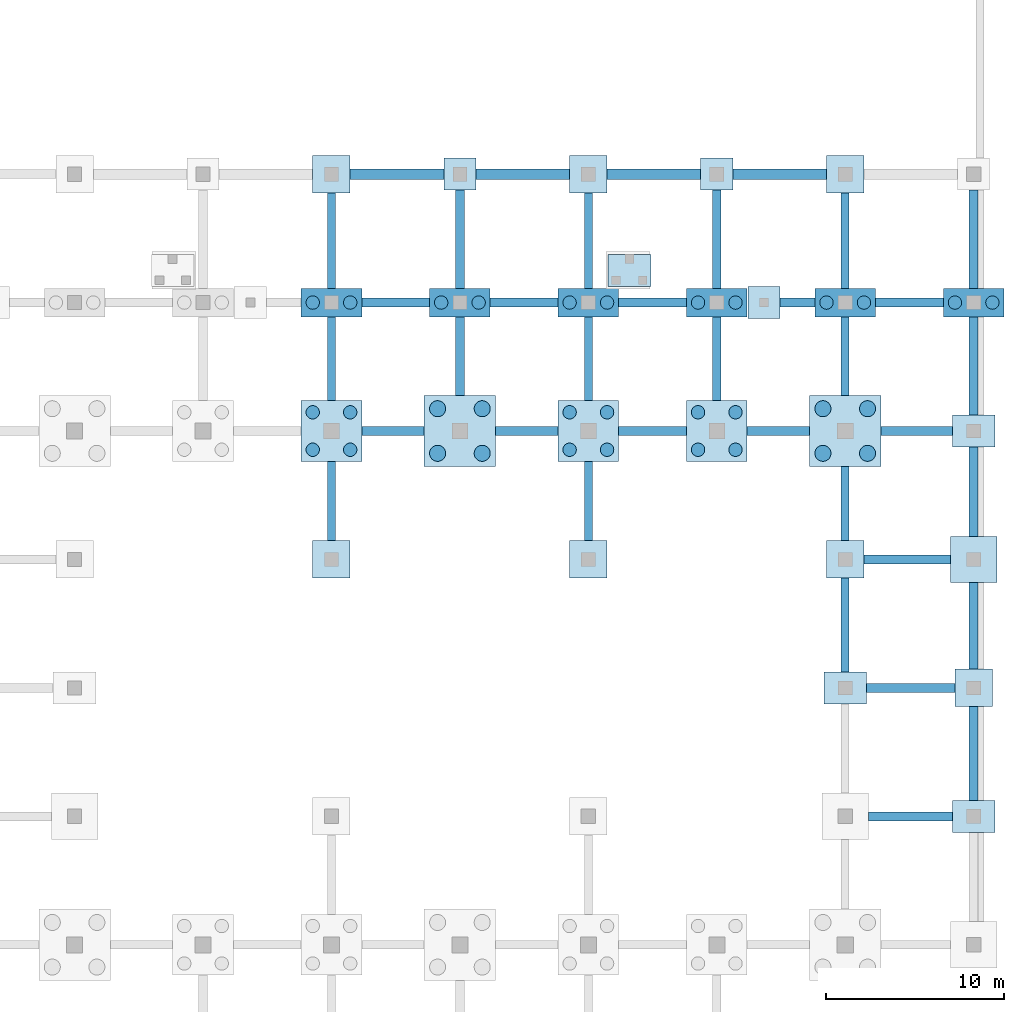
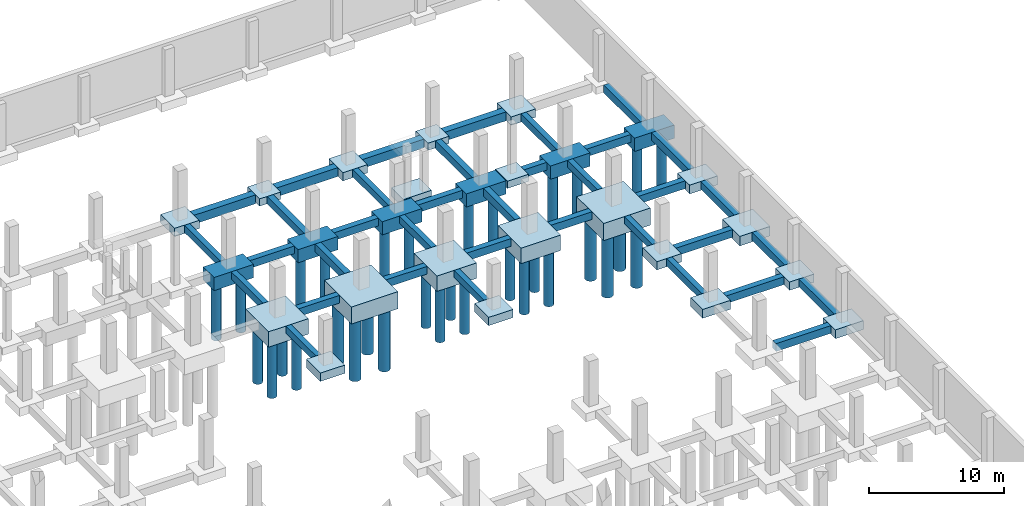
# One storey, part 13 of 22: 62 footings, 32 piles.
"""IFC4 building model written with IfcOpenShell, lengths in metres."""

from ifc_helpers import new_model, si_unit, direction, frame, origin, origin_2d, place, context, subcontext, project, spatial, polyline, rectangle, circle, outline, extrude, material, material_profile, profile_set, type_object, element, save


model = new_model("IFC4")

# Units and contexts
model_context = context("Model", 3, precision=1e-05, world=origin(), true_north=direction((0.0, 1.0)))
body_context = subcontext(model_context, "Body", "Model", "MODEL_VIEW")
ifc_project = project(units=[si_unit("LENGTHUNIT", "METRE"), si_unit("AREAUNIT", "SQUARE_METRE"), si_unit("VOLUMEUNIT", "CUBIC_METRE"), si_unit("PLANEANGLEUNIT", "RADIAN"), si_unit("MASSUNIT", "GRAM", prefix="KILO")], contexts=[model_context])

# Site, building, storey
site_placement = place(None, origin())
site = spatial("IfcSite", under=ifc_project, at=site_placement, CompositionType="ELEMENT")
building_placement = place(site_placement, origin())
building = spatial("IfcBuilding", under=site, at=building_placement, Name="Sardonyx Promenade Sports Hall", CompositionType="ELEMENT")
storey_placement = place(building_placement, frame((0.0, 0.0, -4.5)))
storey = spatial("IfcBuildingStorey", under=building, at=storey_placement, Name="B1", CompositionType="ELEMENT", Elevation=-4.5)

# Footings
ifc_material_1 = material(Name="Concrete C40/50", Category="concrete")
footing_type_1 = type_object("IfcFootingType", Name="Cap_2P_750", PredefinedType="PILE_CAP", material=ifc_material_1)
for number, where, z_axis, x_axis, name in (
    (1, (129.60009765625, 86.39990234375, -1.2001953125), (0.0, 0.0, 1.0), (1.0, 0.0, 0.0), "Pile cap PC02 at (129.60, 86.40)"),
    (2, (136.800048828125, 86.39990234375, -1.2001953125), (0.0, 0.0, 1.0), (1.0, 0.0, 0.0), "Pile cap PC02 at (136.80, 86.40)"),
    (3, (144.0, 86.39990234375, -1.2001953125), (0.0, 0.0, 1.0), (1.0, 0.0, 0.0), "Pile cap PC02 at (144.00, 86.40)"),
    (4, (151.199951171875, 86.39990234375, -1.2001953125), (0.0, 0.0, 1.0), (1.0, 0.0, 0.0), "Pile cap PC02 at (151.20, 86.40)"),
    (5, (158.39990234375, 86.39990234375, -1.2001953125), (0.0, 0.0, 1.0), (1.0, 0.0, 0.0), "Pile cap PC02 at (158.40, 86.40)"),
    (6, (165.60009765625, 86.39990234375, -1.2001953125), (0.0, 0.0, 1.0), (1.0, 0.0, 0.0), "Pile cap PC02 at (165.60, 86.40)"),
):
    element("IfcFooting", number, at=place(storey_placement, frame(where, z_axis=z_axis, x_axis=x_axis)), inside=storey, type_object=footing_type_1, Name=name, PredefinedType="PILE_CAP", context=body_context, shape_type="SweptSolid", body=[
        extrude(rectangle(XDim=3.39990234375, YDim=1.60009765625, at=origin_2d()), origin(), (0.0, 0.0, 1.0), 1.199951171875),
    ])
ifc_material_2 = material(Name="Concrete C40/50", Category="concrete")
footing_type_2 = type_object("IfcFootingType", Name="Cap_4P_750", PredefinedType="PILE_CAP", material=ifc_material_2)
for number, where, z_axis, x_axis, name in (
    (7, (129.60009765625, 79.199951171875, -1.39990234375), (0.0, 0.0, 1.0), (1.0, 0.0, 0.0), "Pile cap PC04 at (129.60, 79.20)"),
    (8, (144.0, 79.199951171875, -1.39990234375), (0.0, 0.0, 1.0), (1.0, 0.0, 0.0), "Pile cap PC04 at (144.00, 79.20)"),
    (9, (151.199951171875, 79.199951171875, -1.39990234375), (0.0, 0.0, 1.0), (1.0, 0.0, 0.0), "Pile cap PC04 at (151.20, 79.20)"),
):
    element("IfcFooting", number, at=place(storey_placement, frame(where, z_axis=z_axis, x_axis=x_axis)), inside=storey, type_object=footing_type_2, Name=name, PredefinedType="PILE_CAP", context=body_context, shape_type="SweptSolid", body=[
        extrude(rectangle(XDim=3.39990234375, YDim=3.39990234375, at=origin_2d()), origin(), (0.0, 0.0, 1.0), 1.39990234375),
    ])
ifc_material_3 = material(Name="Concrete C40/50", Category="concrete")
footing_type_3 = type_object("IfcFootingType", Name="Cap_4P_900", PredefinedType="PILE_CAP", material=ifc_material_3)
for number, where, z_axis, x_axis, name in (
    (10, (136.800048828125, 79.199951171875, -1.5498046875), (0.0, 0.0, 1.0), (1.0, 0.0, 0.0), "Pile cap PC03 at (136.80, 79.20)"),
    (11, (158.39990234375, 79.199951171875, -1.5498046875), (0.0, 0.0, 1.0), (1.0, 0.0, 0.0), "Pile cap PC03 at (158.40, 79.20)"),
):
    element("IfcFooting", number, at=place(storey_placement, frame(where, z_axis=z_axis, x_axis=x_axis)), inside=storey, type_object=footing_type_3, Name=name, PredefinedType="PILE_CAP", context=body_context, shape_type="SweptSolid", body=[
        extrude(rectangle(XDim=4.0, YDim=4.0, at=origin_2d()), origin(), (0.0, 0.0, 1.0), 1.550048828125),
    ])
ifc_material_4 = material(Name="Concrete C40/50", Category="concrete")
footing_type_4 = type_object("IfcFootingType", Name="Ftg_Beam_450x650", PredefinedType="FOOTING_BEAM", material=ifc_material_4)
footing_1_placement = place(storey_placement, frame((0.0, 0.0, -0.64990234375)))
element("IfcFooting", 12, at=footing_1_placement, inside=storey, type_object=footing_type_4, Name="Ground tie beam GB03 #395", PredefinedType="FOOTING_BEAM", context=body_context, shape_type="SweptSolid", body=[
    extrude(outline(polyline([(129.375, 73.050048828125), (129.824951171875, 73.050048828125), (129.824951171875, 77.5), (129.375, 77.5), (129.375, 73.050048828125)])), origin(), (0.0, 0.0, 1.0), 0.64990234375),
])
footing_2_placement = place(storey_placement, frame((0.0, 0.0, -0.64990234375)))
element("IfcFooting", 13, at=footing_2_placement, inside=storey, type_object=footing_type_4, Name="Ground tie beam GB03 #396", PredefinedType="FOOTING_BEAM", context=body_context, shape_type="SweptSolid", body=[
    extrude(outline(polyline([(129.375, 80.89990234375), (129.824951171875, 80.89990234375), (129.824951171875, 85.60009765625), (129.375, 85.60009765625), (129.375, 80.89990234375)])), origin(), (0.0, 0.0, 1.0), 0.64990234375),
])
footing_3_placement = place(storey_placement, frame((0.0, 0.0, -0.64990234375)))
element("IfcFooting", 14, at=footing_3_placement, inside=storey, type_object=footing_type_4, Name="Ground tie beam GB03 #397", PredefinedType="FOOTING_BEAM", context=body_context, shape_type="SweptSolid", body=[
    extrude(outline(polyline([(129.375, 87.199951171875), (129.824951171875, 87.199951171875), (129.824951171875, 92.550048828125), (129.375, 92.550048828125), (129.375, 87.199951171875)])), origin(), (0.0, 0.0, 1.0), 0.64990234375),
])
footing_4_placement = place(storey_placement, frame((0.0, 0.0, -0.64990234375)))
element("IfcFooting", 15, at=footing_4_placement, inside=storey, type_object=footing_type_4, Name="Ground tie beam GB03 #415", PredefinedType="FOOTING_BEAM", context=body_context, shape_type="SweptSolid", body=[
    extrude(outline(polyline([(143.77490234375, 73.050048828125), (144.22509765625, 73.050048828125), (144.22509765625, 77.5), (143.77490234375, 77.5), (143.77490234375, 73.050048828125)])), origin(), (0.0, 0.0, 1.0), 0.64990234375),
])
footing_5_placement = place(storey_placement, frame((0.0, 0.0, -0.64990234375)))
element("IfcFooting", 16, at=footing_5_placement, inside=storey, type_object=footing_type_4, Name="Ground tie beam GB03 #416", PredefinedType="FOOTING_BEAM", context=body_context, shape_type="SweptSolid", body=[
    extrude(outline(polyline([(143.77490234375, 80.89990234375), (144.22509765625, 80.89990234375), (144.22509765625, 85.60009765625), (143.77490234375, 85.60009765625), (143.77490234375, 80.89990234375)])), origin(), (0.0, 0.0, 1.0), 0.64990234375),
])
footing_6_placement = place(storey_placement, frame((0.0, 0.0, -0.64990234375)))
element("IfcFooting", 17, at=footing_6_placement, inside=storey, type_object=footing_type_4, Name="Ground tie beam GB03 #417", PredefinedType="FOOTING_BEAM", context=body_context, shape_type="SweptSolid", body=[
    extrude(outline(polyline([(143.77490234375, 87.199951171875), (144.22509765625, 87.199951171875), (144.22509765625, 92.550048828125), (143.77490234375, 92.550048828125), (143.77490234375, 87.199951171875)])), origin(), (0.0, 0.0, 1.0), 0.64990234375),
])
footing_7_placement = place(storey_placement, frame((0.0, 0.0, -0.64990234375)))
element("IfcFooting", 18, at=footing_7_placement, inside=storey, type_object=footing_type_4, Name="Ground tie beam GB03 #436", PredefinedType="FOOTING_BEAM", context=body_context, shape_type="SweptSolid", body=[
    extrude(outline(polyline([(158.175048828125, 65.699951171875), (158.625, 65.699951171875), (158.625, 70.949951171875), (158.175048828125, 70.949951171875), (158.175048828125, 65.699951171875)])), origin(), (0.0, 0.0, 1.0), 0.64990234375),
])
footing_8_placement = place(storey_placement, frame((0.0, 0.0, -0.64990234375)))
element("IfcFooting", 19, at=footing_8_placement, inside=storey, type_object=footing_type_4, Name="Ground tie beam GB03 #437", PredefinedType="FOOTING_BEAM", context=body_context, shape_type="SweptSolid", body=[
    extrude(outline(polyline([(158.175048828125, 73.050048828125), (158.625, 73.050048828125), (158.625, 77.199951171875), (158.175048828125, 77.199951171875), (158.175048828125, 73.050048828125)])), origin(), (0.0, 0.0, 1.0), 0.64990234375),
])
footing_9_placement = place(storey_placement, frame((0.0, 0.0, -0.64990234375)))
element("IfcFooting", 20, at=footing_9_placement, inside=storey, type_object=footing_type_4, Name="Ground tie beam GB03 #438", PredefinedType="FOOTING_BEAM", context=body_context, shape_type="SweptSolid", body=[
    extrude(outline(polyline([(158.175048828125, 81.199951171875), (158.625, 81.199951171875), (158.625, 85.60009765625), (158.175048828125, 85.60009765625), (158.175048828125, 81.199951171875)])), origin(), (0.0, 0.0, 1.0), 0.64990234375),
])
footing_10_placement = place(storey_placement, frame((0.0, 0.0, -0.64990234375)))
element("IfcFooting", 21, at=footing_10_placement, inside=storey, type_object=footing_type_4, Name="Ground tie beam GB03 #439", PredefinedType="FOOTING_BEAM", context=body_context, shape_type="SweptSolid", body=[
    extrude(outline(polyline([(158.175048828125, 87.199951171875), (158.625, 87.199951171875), (158.625, 92.550048828125), (158.175048828125, 92.550048828125), (158.175048828125, 87.199951171875)])), origin(), (0.0, 0.0, 1.0), 0.64990234375),
])
ifc_material_5 = material(Name="Concrete C40/50", Category="concrete")
footing_type_5 = type_object("IfcFootingType", Name="Ftg_Beam_500x700", PredefinedType="FOOTING_BEAM", material=ifc_material_5)
footing_11_placement = place(storey_placement, frame((0.0, 0.0, -0.699951171875)))
element("IfcFooting", 22, at=footing_11_placement, inside=storey, type_object=footing_type_5, Name="Ground tie beam GB01 #133", PredefinedType="FOOTING_BEAM", context=body_context, shape_type="SweptSolid", body=[
    extrude(outline(polyline([(159.699951171875, 57.35009765625), (164.39990234375, 57.35009765625), (164.39990234375, 57.85009765625), (159.699951171875, 57.85009765625), (159.699951171875, 57.35009765625)])), origin(), (0.0, 0.0, 1.0), 0.699951171875),
])
footing_12_placement = place(storey_placement, frame((0.0, 0.0, -0.699951171875)))
element("IfcFooting", 23, at=footing_12_placement, inside=storey, type_object=footing_type_5, Name="Ground tie beam GB01 #150", PredefinedType="FOOTING_BEAM", context=body_context, shape_type="SweptSolid", body=[
    extrude(outline(polyline([(159.60009765625, 64.550048828125), (164.550048828125, 64.550048828125), (164.550048828125, 65.050048828125), (159.60009765625, 65.050048828125), (159.60009765625, 64.550048828125)])), origin(), (0.0, 0.0, 1.0), 0.699951171875),
])
footing_13_placement = place(storey_placement, frame((0.0, 0.0, -0.699951171875)))
element("IfcFooting", 24, at=footing_13_placement, inside=storey, type_object=footing_type_5, Name="Ground tie beam GB01 #167", PredefinedType="FOOTING_BEAM", context=body_context, shape_type="SweptSolid", body=[
    extrude(outline(polyline([(159.449951171875, 71.75), (164.300048828125, 71.75), (164.300048828125, 72.25), (159.449951171875, 72.25), (159.449951171875, 71.75)])), origin(), (0.0, 0.0, 1.0), 0.699951171875),
])
footing_14_placement = place(storey_placement, frame((0.0, 0.0, -0.699951171875)))
element("IfcFooting", 25, at=footing_14_placement, inside=storey, type_object=footing_type_5, Name="Ground tie beam GB01 #175", PredefinedType="FOOTING_BEAM", context=body_context, shape_type="SweptSolid", body=[
    extrude(outline(polyline([(131.300048828125, 78.949951171875), (134.800048828125, 78.949951171875), (134.800048828125, 79.449951171875), (131.300048828125, 79.449951171875), (131.300048828125, 78.949951171875)])), origin(), (0.0, 0.0, 1.0), 0.699951171875),
])
footing_15_placement = place(storey_placement, frame((0.0, 0.0, -0.699951171875)))
element("IfcFooting", 26, at=footing_15_placement, inside=storey, type_object=footing_type_5, Name="Ground tie beam GB01 #176", PredefinedType="FOOTING_BEAM", context=body_context, shape_type="SweptSolid", body=[
    extrude(outline(polyline([(138.800048828125, 78.949951171875), (142.300048828125, 78.949951171875), (142.300048828125, 79.449951171875), (138.800048828125, 79.449951171875), (138.800048828125, 78.949951171875)])), origin(), (0.0, 0.0, 1.0), 0.699951171875),
])
footing_16_placement = place(storey_placement, frame((0.0, 0.0, -0.699951171875)))
element("IfcFooting", 27, at=footing_16_placement, inside=storey, type_object=footing_type_5, Name="Ground tie beam GB01 #177", PredefinedType="FOOTING_BEAM", context=body_context, shape_type="SweptSolid", body=[
    extrude(outline(polyline([(145.699951171875, 78.949951171875), (149.5, 78.949951171875), (149.5, 79.449951171875), (145.699951171875, 79.449951171875), (145.699951171875, 78.949951171875)])), origin(), (0.0, 0.0, 1.0), 0.699951171875),
])
footing_17_placement = place(storey_placement, frame((0.0, 0.0, -0.699951171875)))
element("IfcFooting", 28, at=footing_17_placement, inside=storey, type_object=footing_type_5, Name="Ground tie beam GB01 #178", PredefinedType="FOOTING_BEAM", context=body_context, shape_type="SweptSolid", body=[
    extrude(outline(polyline([(152.89990234375, 78.949951171875), (156.39990234375, 78.949951171875), (156.39990234375, 79.449951171875), (152.89990234375, 79.449951171875), (152.89990234375, 78.949951171875)])), origin(), (0.0, 0.0, 1.0), 0.699951171875),
])
footing_18_placement = place(storey_placement, frame((0.0, 0.0, -0.699951171875)))
element("IfcFooting", 29, at=footing_18_placement, inside=storey, type_object=footing_type_5, Name="Ground tie beam GB01 #179", PredefinedType="FOOTING_BEAM", context=body_context, shape_type="SweptSolid", body=[
    extrude(outline(polyline([(160.39990234375, 78.949951171875), (164.39990234375, 78.949951171875), (164.39990234375, 79.449951171875), (160.39990234375, 79.449951171875), (160.39990234375, 78.949951171875)])), origin(), (0.0, 0.0, 1.0), 0.699951171875),
])
footing_19_placement = place(storey_placement, frame((0.0, 0.0, -0.699951171875)))
element("IfcFooting", 30, at=footing_19_placement, inside=storey, type_object=footing_type_5, Name="Ground tie beam GB01 #188", PredefinedType="FOOTING_BEAM", context=body_context, shape_type="SweptSolid", body=[
    extrude(outline(polyline([(131.300048828125, 86.14990234375), (135.10009765625, 86.14990234375), (135.10009765625, 86.64990234375), (131.300048828125, 86.64990234375), (131.300048828125, 86.14990234375)])), origin(), (0.0, 0.0, 1.0), 0.699951171875),
])
footing_20_placement = place(storey_placement, frame((0.0, 0.0, -0.699951171875)))
element("IfcFooting", 31, at=footing_20_placement, inside=storey, type_object=footing_type_5, Name="Ground tie beam GB01 #189", PredefinedType="FOOTING_BEAM", context=body_context, shape_type="SweptSolid", body=[
    extrude(outline(polyline([(138.5, 86.14990234375), (142.300048828125, 86.14990234375), (142.300048828125, 86.64990234375), (138.5, 86.64990234375), (138.5, 86.14990234375)])), origin(), (0.0, 0.0, 1.0), 0.699951171875),
])
footing_21_placement = place(storey_placement, frame((0.0, 0.0, -0.699951171875)))
element("IfcFooting", 32, at=footing_21_placement, inside=storey, type_object=footing_type_5, Name="Ground tie beam GB01 #190", PredefinedType="FOOTING_BEAM", context=body_context, shape_type="SweptSolid", body=[
    extrude(outline(polyline([(145.699951171875, 86.14990234375), (149.5, 86.14990234375), (149.5, 86.64990234375), (145.699951171875, 86.64990234375), (145.699951171875, 86.14990234375)])), origin(), (0.0, 0.0, 1.0), 0.699951171875),
])
footing_22_placement = place(storey_placement, frame((0.0, 0.0, -0.699951171875)))
element("IfcFooting", 33, at=footing_22_placement, inside=storey, type_object=footing_type_5, Name="Ground tie beam GB01 #191", PredefinedType="FOOTING_BEAM", context=body_context, shape_type="SweptSolid", body=[
    extrude(outline(polyline([(154.75, 86.14990234375), (156.699951171875, 86.14990234375), (156.699951171875, 86.64990234375), (154.75, 86.64990234375), (154.75, 86.14990234375)])), origin(), (0.0, 0.0, 1.0), 0.699951171875),
])
footing_23_placement = place(storey_placement, frame((0.0, 0.0, -0.699951171875)))
element("IfcFooting", 34, at=footing_23_placement, inside=storey, type_object=footing_type_5, Name="Ground tie beam GB01 #192", PredefinedType="FOOTING_BEAM", context=body_context, shape_type="SweptSolid", body=[
    extrude(outline(polyline([(160.10009765625, 86.14990234375), (163.89990234375, 86.14990234375), (163.89990234375, 86.64990234375), (160.10009765625, 86.64990234375), (160.10009765625, 86.14990234375)])), origin(), (0.0, 0.0, 1.0), 0.699951171875),
])
footing_24_placement = place(storey_placement, frame((0.0, 0.0, -0.699951171875)))
element("IfcFooting", 35, at=footing_24_placement, inside=storey, type_object=footing_type_5, Name="Ground tie beam GB01 #405", PredefinedType="FOOTING_BEAM", context=body_context, shape_type="SweptSolid", body=[
    extrude(outline(polyline([(136.550048828125, 81.199951171875), (137.050048828125, 81.199951171875), (137.050048828125, 85.60009765625), (136.550048828125, 85.60009765625), (136.550048828125, 81.199951171875)])), origin(), (0.0, 0.0, 1.0), 0.699951171875),
])
footing_25_placement = place(storey_placement, frame((0.0, 0.0, -0.699951171875)))
element("IfcFooting", 36, at=footing_25_placement, inside=storey, type_object=footing_type_5, Name="Ground tie beam GB01 #406", PredefinedType="FOOTING_BEAM", context=body_context, shape_type="SweptSolid", body=[
    extrude(outline(polyline([(136.550048828125, 87.199951171875), (137.050048828125, 87.199951171875), (137.050048828125, 92.699951171875), (136.550048828125, 92.699951171875), (136.550048828125, 87.199951171875)])), origin(), (0.0, 0.0, 1.0), 0.699951171875),
])
footing_26_placement = place(storey_placement, frame((0.0, 0.0, -0.699951171875)))
element("IfcFooting", 37, at=footing_26_placement, inside=storey, type_object=footing_type_5, Name="Ground tie beam GB01 #425", PredefinedType="FOOTING_BEAM", context=body_context, shape_type="SweptSolid", body=[
    extrude(outline(polyline([(150.949951171875, 80.89990234375), (151.449951171875, 80.89990234375), (151.449951171875, 85.60009765625), (150.949951171875, 85.60009765625), (150.949951171875, 80.89990234375)])), origin(), (0.0, 0.0, 1.0), 0.699951171875),
])
footing_27_placement = place(storey_placement, frame((0.0, 0.0, -0.699951171875)))
element("IfcFooting", 38, at=footing_27_placement, inside=storey, type_object=footing_type_5, Name="Ground tie beam GB01 #426", PredefinedType="FOOTING_BEAM", context=body_context, shape_type="SweptSolid", body=[
    extrude(outline(polyline([(150.949951171875, 87.199951171875), (151.449951171875, 87.199951171875), (151.449951171875, 92.699951171875), (150.949951171875, 92.699951171875), (150.949951171875, 87.199951171875)])), origin(), (0.0, 0.0, 1.0), 0.699951171875),
])
footing_28_placement = place(storey_placement, frame((0.0, 0.0, -0.699951171875)))
element("IfcFooting", 39, at=footing_28_placement, inside=storey, type_object=footing_type_5, Name="Ground tie beam GB01 #448", PredefinedType="FOOTING_BEAM", context=body_context, shape_type="SweptSolid", body=[
    extrude(outline(polyline([(165.35009765625, 58.5), (165.85009765625, 58.5), (165.85009765625, 63.75), (165.35009765625, 63.75), (165.35009765625, 58.5)])), origin(), (0.0, 0.0, 1.0), 0.699951171875),
])
footing_29_placement = place(storey_placement, frame((0.0, 0.0, -0.699951171875)))
element("IfcFooting", 40, at=footing_29_placement, inside=storey, type_object=footing_type_5, Name="Ground tie beam GB01 #449", PredefinedType="FOOTING_BEAM", context=body_context, shape_type="SweptSolid", body=[
    extrude(outline(polyline([(165.35009765625, 65.85009765625), (165.85009765625, 65.85009765625), (165.85009765625, 70.699951171875), (165.35009765625, 70.699951171875), (165.35009765625, 65.85009765625)])), origin(), (0.0, 0.0, 1.0), 0.699951171875),
])
footing_30_placement = place(storey_placement, frame((0.0, 0.0, -0.699951171875)))
element("IfcFooting", 41, at=footing_30_placement, inside=storey, type_object=footing_type_5, Name="Ground tie beam GB01 #450", PredefinedType="FOOTING_BEAM", context=body_context, shape_type="SweptSolid", body=[
    extrude(outline(polyline([(165.35009765625, 73.300048828125), (165.85009765625, 73.300048828125), (165.85009765625, 78.300048828125), (165.35009765625, 78.300048828125), (165.35009765625, 73.300048828125)])), origin(), (0.0, 0.0, 1.0), 0.699951171875),
])
footing_31_placement = place(storey_placement, frame((0.0, 0.0, -0.699951171875)))
element("IfcFooting", 42, at=footing_31_placement, inside=storey, type_object=footing_type_5, Name="Ground tie beam GB01 #451", PredefinedType="FOOTING_BEAM", context=body_context, shape_type="SweptSolid", body=[
    extrude(outline(polyline([(165.35009765625, 80.10009765625), (165.85009765625, 80.10009765625), (165.85009765625, 85.60009765625), (165.35009765625, 85.60009765625), (165.35009765625, 80.10009765625)])), origin(), (0.0, 0.0, 1.0), 0.699951171875),
])
footing_32_placement = place(storey_placement, frame((0.0, 0.0, -0.699951171875)))
element("IfcFooting", 43, at=footing_32_placement, inside=storey, type_object=footing_type_5, Name="Ground tie beam GB01 #452", PredefinedType="FOOTING_BEAM", context=body_context, shape_type="SweptSolid", body=[
    extrude(outline(polyline([(165.35009765625, 87.199951171875), (165.85009765625, 87.199951171875), (165.85009765625, 92.699951171875), (165.35009765625, 92.699951171875), (165.35009765625, 87.199951171875)])), origin(), (0.0, 0.0, 1.0), 0.699951171875),
])
ifc_material_6 = material(Name="Concrete C40/50", Category="concrete")
footing_type_6 = type_object("IfcFootingType", Name="Ftg_Beam_600x800", PredefinedType="FOOTING_BEAM", material=ifc_material_6)
footing_33_placement = place(storey_placement, frame((0.0, 0.0, -0.800048828125)))
element("IfcFooting", 44, at=footing_33_placement, inside=storey, type_object=footing_type_6, Name="Ground tie beam GB02 #201", PredefinedType="FOOTING_BEAM", context=body_context, shape_type="SweptSolid", body=[
    extrude(outline(polyline([(130.64990234375, 93.300048828125), (135.89990234375, 93.300048828125), (135.89990234375, 93.89990234375), (130.64990234375, 93.89990234375), (130.64990234375, 93.300048828125)])), origin(), (0.0, 0.0, 1.0), 0.800048828125),
])
footing_34_placement = place(storey_placement, frame((0.0, 0.0, -0.800048828125)))
element("IfcFooting", 45, at=footing_34_placement, inside=storey, type_object=footing_type_6, Name="Ground tie beam GB02 #202", PredefinedType="FOOTING_BEAM", context=body_context, shape_type="SweptSolid", body=[
    extrude(outline(polyline([(137.699951171875, 93.300048828125), (142.949951171875, 93.300048828125), (142.949951171875, 93.89990234375), (137.699951171875, 93.89990234375), (137.699951171875, 93.300048828125)])), origin(), (0.0, 0.0, 1.0), 0.800048828125),
])
footing_35_placement = place(storey_placement, frame((0.0, 0.0, -0.800048828125)))
element("IfcFooting", 46, at=footing_35_placement, inside=storey, type_object=footing_type_6, Name="Ground tie beam GB02 #203", PredefinedType="FOOTING_BEAM", context=body_context, shape_type="SweptSolid", body=[
    extrude(outline(polyline([(145.050048828125, 93.300048828125), (150.300048828125, 93.300048828125), (150.300048828125, 93.89990234375), (145.050048828125, 93.89990234375), (145.050048828125, 93.300048828125)])), origin(), (0.0, 0.0, 1.0), 0.800048828125),
])
footing_36_placement = place(storey_placement, frame((0.0, 0.0, -0.800048828125)))
element("IfcFooting", 47, at=footing_36_placement, inside=storey, type_object=footing_type_6, Name="Ground tie beam GB02 #204", PredefinedType="FOOTING_BEAM", context=body_context, shape_type="SweptSolid", body=[
    extrude(outline(polyline([(152.10009765625, 93.300048828125), (157.35009765625, 93.300048828125), (157.35009765625, 93.89990234375), (152.10009765625, 93.89990234375), (152.10009765625, 93.300048828125)])), origin(), (0.0, 0.0, 1.0), 0.800048828125),
])
ifc_material_7 = material(Name="Concrete C40/50", Category="concrete")
footing_type_7 = type_object("IfcFootingType", Name="Ftg_Pad_1800", PredefinedType="PAD_FOOTING", material=ifc_material_7)
for number, where, z_axis, x_axis, name in (
    (48, (136.800048828125, 93.60009765625, -0.64990234375), (0.0, 0.0, 1.0), (1.0, 0.0, 0.0), "Pad footing PF01 #8"),
    (49, (151.199951171875, 93.60009765625, -0.64990234375), (0.0, 0.0, 1.0), (1.0, 0.0, 0.0), "Pad footing PF01 #12"),
    (50, (153.85009765625, 86.39990234375, -0.64990234375), (0.0, 0.0, 1.0), (1.0, 0.0, 0.0), "Pilaster pad footing #11"),
):
    element("IfcFooting", number, at=place(storey_placement, frame(where, z_axis=z_axis, x_axis=x_axis)), inside=storey, type_object=footing_type_7, Name=name, PredefinedType="PAD_FOOTING", context=body_context, shape_type="SweptSolid", body=[
        extrude(rectangle(XDim=1.800048828125, YDim=1.800048828125, at=origin_2d()), origin(), (0.0, 0.0, 1.0), 0.64990234375),
    ])
ifc_material_8 = material(Name="Concrete C40/50", Category="concrete")
footing_type_8 = type_object("IfcFootingType", Name="Ftg_Pad_2100", PredefinedType="PAD_FOOTING", material=ifc_material_8)
for number, where, z_axis, x_axis, name in (
    (51, (158.39990234375, 72.0, -0.75), (0.0, 0.0, 1.0), (1.0, 0.0, 0.0), "Rock-bearing pad footing PF02 at (158.40, 72.00)"),
    (52, (165.60009765625, 64.800048828125, -0.75), (0.0, 0.0, 1.0), (1.0, 0.0, 0.0), "Rock-bearing pad footing PF02 at (165.60, 64.80)"),
    (53, (129.60009765625, 93.60009765625, -0.75), (0.0, 0.0, 1.0), (1.0, 0.0, 0.0), "Pad footing PF02 #6"),
    (54, (144.0, 93.60009765625, -0.75), (0.0, 0.0, 1.0), (1.0, 0.0, 0.0), "Pad footing PF02 #10"),
    (55, (158.39990234375, 93.60009765625, -0.75), (0.0, 0.0, 1.0), (1.0, 0.0, 0.0), "Pad footing PF02 #14"),
    (56, (129.60009765625, 72.0, -0.75), (0.0, 0.0, 1.0), (1.0, 0.0, 0.0), "Substructure court slab pad footing PF02 #41"),
    (57, (144.0, 72.0, -0.75), (0.0, 0.0, 1.0), (1.0, 0.0, 0.0), "Substructure court slab pad footing PF02 #43"),
):
    element("IfcFooting", number, at=place(storey_placement, frame(where, z_axis=z_axis, x_axis=x_axis)), inside=storey, type_object=footing_type_8, Name=name, PredefinedType="PAD_FOOTING", context=body_context, shape_type="SweptSolid", body=[
        extrude(rectangle(XDim=2.10009765625, YDim=2.10009765625, at=origin_2d()), origin(), (0.0, 0.0, 1.0), 0.75),
    ])
ifc_material_9 = material(Name="Concrete C40/50", Category="concrete")
footing_type_9 = type_object("IfcFootingType", Name="Ftg_Pad_2400x1800", PredefinedType="PAD_FOOTING", material=ifc_material_9)
for number, where, z_axis, x_axis, name in (
    (58, (158.39990234375, 64.800048828125, -0.7998046875), (0.0, 0.0, 1.0), (1.0, 0.0, 0.0), "Rock-bearing pad footing PF03 at (158.40, 64.80)"),
    (59, (165.60009765625, 57.60009765625, -0.7998046875), (0.0, 0.0, 1.0), (1.0, 0.0, 0.0), "Rock-bearing pad footing PF03 at (165.60, 57.60)"),
    (60, (165.60009765625, 79.199951171875, -0.7998046875), (0.0, 0.0, 1.0), (1.0, 0.0, 0.0), "Rock-bearing pad footing PF03 at (165.60, 79.20)"),
    (61, (146.300048828125, 88.199951171875, -0.7998046875), (0.0, 0.0, 1.0), (1.0, 0.0, 0.0), "Ramp landing pad footing #5"),
):
    element("IfcFooting", number, at=place(storey_placement, frame(where, z_axis=z_axis, x_axis=x_axis)), inside=storey, type_object=footing_type_9, Name=name, PredefinedType="PAD_FOOTING", context=body_context, shape_type="SweptSolid", body=[
        extrude(rectangle(XDim=2.39990234375, YDim=1.800048828125, at=origin_2d()), origin(), (0.0, 0.0, 1.0), 0.800048828125),
    ])
ifc_material_10 = material(Name="Concrete C40/50", Category="concrete")
footing_type_10 = type_object("IfcFootingType", Name="Ftg_Pad_2600", PredefinedType="PAD_FOOTING", material=ifc_material_10)
footing_37_placement = place(storey_placement, frame((165.60009765625, 72.0, -0.85009765625), z_axis=(0.0, 0.0, 1.0), x_axis=(1.0, 0.0, 0.0)))
element("IfcFooting", 62, at=footing_37_placement, inside=storey, type_object=footing_type_10, Name="Rock-bearing pad footing PF04 at (165.60, 72.00)", PredefinedType="PAD_FOOTING", context=body_context, shape_type="SweptSolid", body=[
    extrude(rectangle(XDim=2.60009765625, YDim=2.60009765625, at=origin_2d()), origin(), (0.0, 0.0, 1.0), 0.85009765625),
])

# Piles
ifc_material_11 = material(Name="Concrete C40/50", Category="concrete")
ifc_material_profile_1 = material_profile(ifc_material_11, circle(Radius=0.375, at=origin_2d()))
ifc_profile_set_1 = profile_set([ifc_material_profile_1], Name="Concrete C40/50")
pile_type_1 = type_object("IfcPileType", Name="Pile_BP750", PredefinedType="BORED", material=ifc_profile_set_1)
for number, where, z_axis, x_axis, name in (
    (63, (128.550048828125, 78.14990234375, -1.300048828125), (0.0, 0.0, -1.0), (1.0, 0.0, 0.0), "Bored pile BP02 #1 under ftg:cap:129.600_79.200"),
    (64, (130.64990234375, 78.14990234375, -1.300048828125), (0.0, 0.0, -1.0), (1.0, 0.0, 0.0), "Bored pile BP02 #2 under ftg:cap:129.600_79.200"),
    (65, (128.550048828125, 80.25, -1.300048828125), (0.0, 0.0, -1.0), (1.0, 0.0, 0.0), "Bored pile BP02 #3 under ftg:cap:129.600_79.200"),
    (66, (130.64990234375, 80.25, -1.300048828125), (0.0, 0.0, -1.0), (1.0, 0.0, 0.0), "Bored pile BP02 #4 under ftg:cap:129.600_79.200"),
    (67, (128.550048828125, 86.39990234375, -1.10009765625), (0.0, 0.0, -1.0), (1.0, 0.0, 0.0), "Bored pile BP02 #1 under ftg:cap:129.600_86.400"),
    (68, (130.64990234375, 86.39990234375, -1.10009765625), (0.0, 0.0, -1.0), (1.0, 0.0, 0.0), "Bored pile BP02 #2 under ftg:cap:129.600_86.400"),
    (69, (135.75, 86.39990234375, -1.10009765625), (0.0, 0.0, -1.0), (1.0, 0.0, 0.0), "Bored pile BP02 #1 under ftg:cap:136.800_86.400"),
    (70, (137.85009765625, 86.39990234375, -1.10009765625), (0.0, 0.0, -1.0), (1.0, 0.0, 0.0), "Bored pile BP02 #2 under ftg:cap:136.800_86.400"),
    (71, (142.949951171875, 78.14990234375, -1.300048828125), (0.0, 0.0, -1.0), (1.0, 0.0, 0.0), "Bored pile BP02 #1 under ftg:cap:144.000_79.200"),
    (72, (145.050048828125, 78.14990234375, -1.300048828125), (0.0, 0.0, -1.0), (1.0, 0.0, 0.0), "Bored pile BP02 #2 under ftg:cap:144.000_79.200"),
    (73, (142.949951171875, 80.25, -1.300048828125), (0.0, 0.0, -1.0), (1.0, 0.0, 0.0), "Bored pile BP02 #3 under ftg:cap:144.000_79.200"),
    (74, (145.050048828125, 80.25, -1.300048828125), (0.0, 0.0, -1.0), (1.0, 0.0, 0.0), "Bored pile BP02 #4 under ftg:cap:144.000_79.200"),
    (75, (142.949951171875, 86.39990234375, -1.10009765625), (0.0, 0.0, -1.0), (1.0, 0.0, 0.0), "Bored pile BP02 #1 under ftg:cap:144.000_86.400"),
    (76, (145.050048828125, 86.39990234375, -1.10009765625), (0.0, 0.0, -1.0), (1.0, 0.0, 0.0), "Bored pile BP02 #2 under ftg:cap:144.000_86.400"),
    (77, (150.14990234375, 78.14990234375, -1.300048828125), (0.0, 0.0, -1.0), (1.0, 0.0, 0.0), "Bored pile BP02 #1 under ftg:cap:151.200_79.200"),
    (78, (152.25, 78.14990234375, -1.300048828125), (0.0, 0.0, -1.0), (1.0, 0.0, 0.0), "Bored pile BP02 #2 under ftg:cap:151.200_79.200"),
    (79, (150.14990234375, 80.25, -1.300048828125), (0.0, 0.0, -1.0), (1.0, 0.0, 0.0), "Bored pile BP02 #3 under ftg:cap:151.200_79.200"),
    (80, (152.25, 80.25, -1.300048828125), (0.0, 0.0, -1.0), (1.0, 0.0, 0.0), "Bored pile BP02 #4 under ftg:cap:151.200_79.200"),
    (81, (150.14990234375, 86.39990234375, -1.10009765625), (0.0, 0.0, -1.0), (1.0, 0.0, 0.0), "Bored pile BP02 #1 under ftg:cap:151.200_86.400"),
    (82, (152.25, 86.39990234375, -1.10009765625), (0.0, 0.0, -1.0), (1.0, 0.0, 0.0), "Bored pile BP02 #2 under ftg:cap:151.200_86.400"),
    (83, (157.35009765625, 86.39990234375, -1.10009765625), (0.0, 0.0, -1.0), (1.0, 0.0, 0.0), "Bored pile BP02 #1 under ftg:cap:158.400_86.400"),
    (84, (159.449951171875, 86.39990234375, -1.10009765625), (0.0, 0.0, -1.0), (1.0, 0.0, 0.0), "Bored pile BP02 #2 under ftg:cap:158.400_86.400"),
    (85, (164.550048828125, 86.39990234375, -1.10009765625), (0.0, 0.0, -1.0), (1.0, 0.0, 0.0), "Bored pile BP02 #1 under ftg:cap:165.600_86.400"),
    (86, (166.64990234375, 86.39990234375, -1.10009765625), (0.0, 0.0, -1.0), (1.0, 0.0, 0.0), "Bored pile BP02 #2 under ftg:cap:165.600_86.400"),
):
    element("IfcPile", number, at=place(storey_placement, frame(where, z_axis=z_axis, x_axis=x_axis)), inside=storey, type_object=pile_type_1, Name=name, PredefinedType="BORED", context=body_context, shape_type="SweptSolid", body=[
        extrude(circle(Radius=0.375, at=origin_2d()), origin(), (0.0, 0.0, 1.0), 5.10009765625),
    ])
ifc_material_12 = material(Name="Concrete C40/50", Category="concrete")
ifc_material_profile_2 = material_profile(ifc_material_12, circle(Radius=0.449951171875, at=origin_2d()))
ifc_profile_set_2 = profile_set([ifc_material_profile_2], Name="Concrete C40/50")
pile_type_2 = type_object("IfcPileType", Name="Pile_BP900", PredefinedType="BORED", material=ifc_profile_set_2)
for number, where, z_axis, x_axis, name in (
    (87, (135.550048828125, 77.949951171875, -1.449951171875), (0.0, 0.0, -1.0), (1.0, 0.0, 0.0), "Bored pile BP05 #1 under ftg:cap:136.800_79.200"),
    (88, (138.050048828125, 77.949951171875, -1.449951171875), (0.0, 0.0, -1.0), (1.0, 0.0, 0.0), "Bored pile BP05 #2 under ftg:cap:136.800_79.200"),
    (89, (135.550048828125, 80.449951171875, -1.449951171875), (0.0, 0.0, -1.0), (1.0, 0.0, 0.0), "Bored pile BP05 #3 under ftg:cap:136.800_79.200"),
    (90, (138.050048828125, 80.449951171875, -1.449951171875), (0.0, 0.0, -1.0), (1.0, 0.0, 0.0), "Bored pile BP05 #4 under ftg:cap:136.800_79.200"),
    (91, (157.14990234375, 77.949951171875, -1.449951171875), (0.0, 0.0, -1.0), (1.0, 0.0, 0.0), "Bored pile BP05 #1 under ftg:cap:158.400_79.200"),
    (92, (159.64990234375, 77.949951171875, -1.449951171875), (0.0, 0.0, -1.0), (1.0, 0.0, 0.0), "Bored pile BP05 #2 under ftg:cap:158.400_79.200"),
    (93, (157.14990234375, 80.449951171875, -1.449951171875), (0.0, 0.0, -1.0), (1.0, 0.0, 0.0), "Bored pile BP05 #3 under ftg:cap:158.400_79.200"),
    (94, (159.64990234375, 80.449951171875, -1.449951171875), (0.0, 0.0, -1.0), (1.0, 0.0, 0.0), "Bored pile BP05 #4 under ftg:cap:158.400_79.200"),
):
    element("IfcPile", number, at=place(storey_placement, frame(where, z_axis=z_axis, x_axis=x_axis)), inside=storey, type_object=pile_type_2, Name=name, PredefinedType="BORED", context=body_context, shape_type="SweptSolid", body=[
        extrude(circle(Radius=0.449951171875, at=origin_2d()), origin(), (0.0, 0.0, 1.0), 5.699951171875),
    ])

save(model, "model.ifc")
